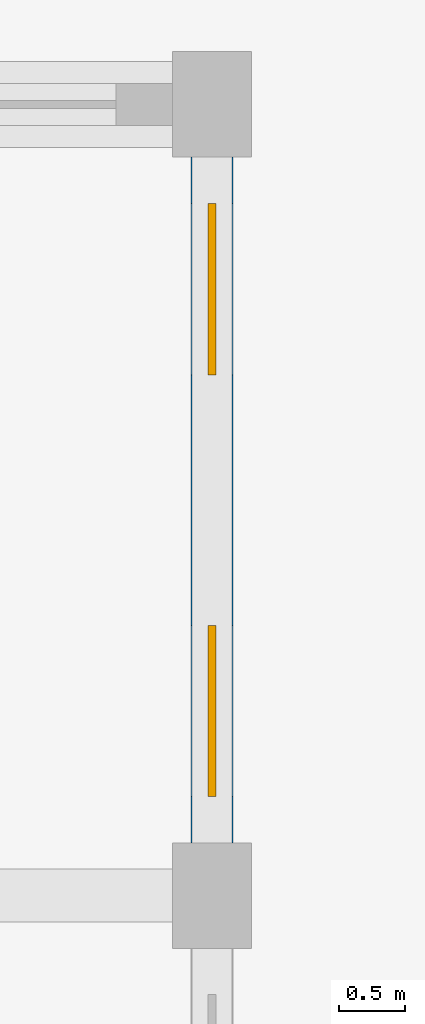
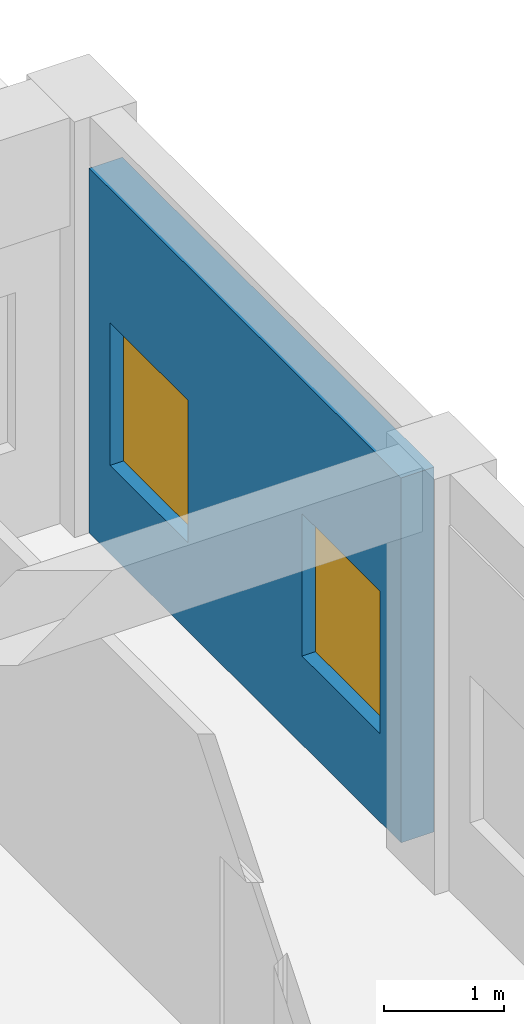
# One storey, part 64 of 76: 2 windows, 1 wall, 2 openings.
"""IFC4 building model written with IfcOpenShell, lengths in metres."""

import ifcopenshell
import ifcopenshell.guid

model = None  # the IFC model being written
_history = None  # IfcOwnerHistory: only IFC2X3 demands one
_inside = {}  # id of a spatial element -> (the spatial element, [elements in it])
_under = {}  # id of a project, library or spatial element -> (it, [spatial elements below it])
_declared = {}  # id of a project -> (the project, [libraries it declares])
_typed = {}  # id of a type object -> (the type object, [elements of that type])
_made_of = {}  # id of a material, layer set ... -> (it, [elements and type objects made of it])


def new_model(schema):
    """Start an empty IFC model of exactly this schema.

    Asked for "IFC4X3", IfcOpenShell would pick the latest addendum, in which some entities
    have other attributes; the version numbers below select the first issue.
    IFC2X3 requires an IfcOwnerHistory on every rooted entity: one is made here for all.
    """
    global model, _history
    if schema == "IFC4X3":
        model = ifcopenshell.file(schema_version=(4, 3, 0, 0))
    else:
        model = ifcopenshell.file(schema=schema)
    _inside.clear()
    _under.clear()
    _declared.clear()
    _typed.clear()
    _made_of.clear()
    _history = None
    if model.schema == "IFC2X3":
        org = make("IfcOrganization", Name="unknown")
        user = make(
            "IfcPersonAndOrganization",
            ThePerson=make("IfcPerson", FamilyName="unknown"),
            TheOrganization=org,
        )
        app = make(
            "IfcApplication",
            ApplicationDeveloper=org,
            Version="unknown",
            ApplicationFullName="unknown",
            ApplicationIdentifier="unknown",
        )
        _history = make(
            "IfcOwnerHistory",
            OwningUser=user,
            OwningApplication=app,
            ChangeAction="ADDED",
            CreationDate=0,
        )
    return model


def make(cls, **values):
    """One entity of the class cls with the attributes given. An attribute that is None is left unset."""
    return model.create_entity(
        cls, **{name: value for name, value in values.items() if value is not None}
    )


def rooted(cls, **values):
    """An entity with a GlobalId (a new one), such as an element, a storey or a relation."""
    return make(cls, GlobalId=ifcopenshell.guid.new(), OwnerHistory=_history, **values)


def si_unit(unit_type, name, prefix=None):
    """IfcSIUnit, for example si_unit("LENGTHUNIT", "METRE", prefix="MILLI")."""
    return make("IfcSIUnit", UnitType=unit_type, Prefix=prefix, Name=name)


def assignment(units):
    """IfcUnitAssignment: the units of a project."""
    return None if units is None else make("IfcUnitAssignment", Units=units)


def point(xyz):
    """IfcCartesianPoint."""
    return None if xyz is None else make("IfcCartesianPoint", Coordinates=xyz)


def direction(xyz):
    """IfcDirection."""
    return None if xyz is None else make("IfcDirection", DirectionRatios=xyz)


def frame(location, z_axis=None, x_axis=None):
    """IfcAxis2Placement3D, a coordinate frame: its origin and axes. An axis left out is left unset."""
    return make(
        "IfcAxis2Placement3D",
        Location=point(location),
        Axis=direction(z_axis),
        RefDirection=direction(x_axis),
    )


def frame_2d(location, x_axis=None):
    """IfcAxis2Placement2D, a coordinate frame in the plane: its origin and x axis."""
    return make(
        "IfcAxis2Placement2D", Location=point(location), RefDirection=direction(x_axis)
    )


def origin():
    """The frame at (0, 0, 0) with its axes left unset."""
    return frame((0.0, 0.0, 0.0))


def place(relative_to, where):
    """IfcLocalPlacement: puts the frame where relative to a parent placement (None: the world)."""
    return make(
        "IfcLocalPlacement", PlacementRelTo=relative_to, RelativePlacement=where
    )


def context(
    kind, dimensions, precision=None, world=None, true_north=None, identifier=None
):
    """IfcGeometricRepresentationContext, for example the 3D "Model" context."""
    return make(
        "IfcGeometricRepresentationContext",
        ContextIdentifier=identifier,
        ContextType=kind,
        CoordinateSpaceDimension=dimensions,
        Precision=precision,
        WorldCoordinateSystem=world,
        TrueNorth=true_north,
    )


def subcontext(parent, identifier, kind, view, scale=None):
    """IfcGeometricRepresentationSubContext, for example "Body" below "Model"."""
    return make(
        "IfcGeometricRepresentationSubContext",
        ContextIdentifier=identifier,
        ContextType=kind,
        ParentContext=parent,
        TargetScale=scale,
        TargetView=view,
    )


def project(units=None, contexts=None):
    """IfcProject with its units and contexts."""
    return rooted(
        "IfcProject",
        Name="project",
        RepresentationContexts=contexts,
        UnitsInContext=assignment(units),
    )


def spatial(cls, under=None, at=None, **own):
    """A site, building, storey or space (cls), placed at a placement, below another one or the project."""
    s = rooted(cls, ObjectPlacement=at, **own)
    if under is not None:
        _under.setdefault(under.id(), (under, []))[1].append(s)
    return s


def profile(cls, at=None, kind="AREA", **sizes):
    """A parametric profile (cls). Its sizes go by their IFC names, for example OverallWidth=200.0."""
    return make(cls, ProfileType=kind, Position=at, **sizes)


def rectangle(**sizes):
    """IfcRectangleProfileDef."""
    return profile("IfcRectangleProfileDef", **sizes)


def extrude(swept, where, along, depth):
    """IfcExtrudedAreaSolid: the profile swept, set in the frame where, extruded along a direction by depth."""
    return make(
        "IfcExtrudedAreaSolid",
        SweptArea=swept,
        Position=where,
        ExtrudedDirection=direction(along),
        Depth=depth,
    )


def shape(context_of_items, identifier, shape_type, items):
    """IfcShapeRepresentation: the items that make up one representation, for example the "Body"."""
    return make(
        "IfcShapeRepresentation",
        ContextOfItems=context_of_items,
        RepresentationIdentifier=identifier,
        RepresentationType=shape_type,
        Items=items,
    )


def material(Name=None, Category=None):
    """IfcMaterial."""
    return make("IfcMaterial", Name=Name, Category=Category)


def layer(
    of_material, thickness, ventilated=None, Name=None, Category=None, Priority=None
):
    """IfcMaterialLayer: one layer of a wall or slab, of a material (None: an air gap)."""
    return make(
        "IfcMaterialLayer",
        Material=of_material,
        LayerThickness=thickness,
        IsVentilated=ventilated,
        Name=Name,
        Category=Category,
        Priority=Priority,
    )


def layer_set(layers, Name=None):
    """IfcMaterialLayerSet."""
    return make("IfcMaterialLayerSet", MaterialLayers=layers, LayerSetName=Name)


def made_of(thing, what):
    """Note that an element or type object is made of a material, layer set ...; save() writes the relation."""
    if what is not None:
        _made_of.setdefault(what.id(), (what, []))[1].append(thing)
    return thing


def type_object(cls, material=None, **own):
    """A type object (cls), such as IfcWallType, which elements share."""
    return made_of(rooted(cls, **own), material)


def element(
    cls,
    number,
    at=None,
    inside=None,
    cuts=None,
    type_object=None,
    material=None,
    context=None,
    identifier="Body",
    shape_type=None,
    held_by="IfcProductDefinitionShape",
    body=None,
    shapes=None,
    **own,
):
    """One element of the class cls, such as IfcWall. Its Tag is "e" and its number.

    at: its placement. inside: the storey or other place that contains it. cuts: it is an
    opening in that element (IfcRelVoidsElement). A single representation is given by context,
    identifier, shape_type and body (its items); several are given by shapes. held_by: the class
    of the entity that holds the representations. save() writes the other relations.
    """
    e = rooted(cls, Tag="e%d" % number, ObjectPlacement=at, **own)
    if body is not None:
        shapes = [shape(context, identifier, shape_type, body)]
    if shapes is not None:
        e.Representation = make(held_by, Representations=shapes)
    if inside is not None:
        _inside.setdefault(inside.id(), (inside, []))[1].append(e)
    if cuts is not None:
        rooted(
            "IfcRelVoidsElement", RelatingBuildingElement=cuts, RelatedOpeningElement=e
        )
    if type_object is not None:
        _typed.setdefault(type_object.id(), (type_object, []))[1].append(e)
    return made_of(e, material)


def fill(opening, filler):
    """IfcRelFillsElement: the door or window that sits in an opening."""
    return rooted(
        "IfcRelFillsElement",
        RelatingOpeningElement=opening,
        RelatedBuildingElement=filler,
    )


def aggregate(whole, parts):
    """IfcRelAggregates: a whole, such as a stair, and the parts it consists of."""
    return rooted("IfcRelAggregates", RelatingObject=whole, RelatedObjects=parts)


def save(model, path):
    """Write the relations noted so far, then the file.

    IfcRelAggregates (storeys below a building ...), IfcRelContainedInSpatialStructure (elements
    in a storey), IfcRelDefinesByType, IfcRelAssociatesMaterial and IfcRelDeclares: one each for
    every whole, place, type object, material and project.
    """
    for whole, parts in _under.values():
        aggregate(whole, parts)
    for where, things in _inside.values():
        rooted(
            "IfcRelContainedInSpatialStructure",
            RelatedElements=things,
            RelatingStructure=where,
        )
    for kind, things in _typed.values():
        rooted("IfcRelDefinesByType", RelatedObjects=things, RelatingType=kind)
    for what, things in _made_of.values():
        rooted("IfcRelAssociatesMaterial", RelatedObjects=things, RelatingMaterial=what)
    for by, libraries in _declared.values():
        rooted("IfcRelDeclares", RelatingContext=by, RelatedDefinitions=libraries)
    model.write(path)


model = new_model("IFC4")

# Units and contexts
model_context = context("Model", 3, precision=1e-05, world=origin(), true_north=direction((0.0, 1.0)))
body_context = subcontext(model_context, "Body", "Model", "MODEL_VIEW")
ifc_project = project(units=[si_unit("LENGTHUNIT", "METRE"), si_unit("AREAUNIT", "SQUARE_METRE"), si_unit("VOLUMEUNIT", "CUBIC_METRE"), si_unit("PLANEANGLEUNIT", "RADIAN"), si_unit("MASSUNIT", "GRAM", prefix="KILO"), si_unit("POWERUNIT", "WATT"), si_unit("THERMODYNAMICTEMPERATUREUNIT", "KELVIN")], contexts=[model_context])

# Site, building, storey
site_placement = place(None, origin())
site = spatial("IfcSite", under=ifc_project, at=site_placement, CompositionType="ELEMENT")
building_placement = place(site_placement, origin())
building = spatial("IfcBuilding", under=site, at=building_placement, Name="Ruvembo Vaulted Housing Court", CompositionType="ELEMENT")
storey_placement = place(building_placement, origin())
storey = spatial("IfcBuildingStorey", under=building, at=storey_placement, Name="L00", CompositionType="ELEMENT", Elevation=0.0)

# Wall, openings, windows
ifc_material_1 = material(Name="Rendered Masonry 320", Category="masonry")
ifc_layer = layer(ifc_material_1, 0.320068359375, Name="Rendered Masonry 320")
ifc_layer_set = layer_set([ifc_layer], Name="Rendered Masonry 320")
wall_type = type_object("IfcWallType", Name="WL-EXT-320", PredefinedType="STANDARD", material=ifc_layer_set)
wall_placement = place(storey_placement, frame((186.0, 102.39990234375, 0.0), z_axis=(0.0, 0.0, 1.0), x_axis=(0.0, 1.0, 0.0)))
wall = element("IfcWall", 1, at=wall_placement, inside=storey, type_object=wall_type, Name="Block D L00 Exterior Wall EAST #6", PredefinedType="STANDARD", context=body_context, shape_type="SweptSolid", body=[
    extrude(rectangle(XDim=5.2001953125, YDim=0.320068359375, at=frame_2d((2.60009765625, 0.0))), origin(), (0.0, 0.0, 1.0), 3.7119140625),
])
opening_1_placement = place(wall_placement, frame((0.35009765625, 0.0, 0.89990234375)))
opening_1 = element("IfcOpeningElement", 2, at=opening_1_placement, cuts=wall, Name="Opening W15", PredefinedType="OPENING", context=body_context, shape_type="SweptSolid", body=[
    extrude(rectangle(XDim=1.300048828125, YDim=1.449951171875, at=frame_2d((0.64990234375, 0.72509765625))), frame((0.0, 0.169921875, 0.0), z_axis=(0.0, -1.0, 0.0), x_axis=(1.0, 0.0, 0.0)), (0.0, 0.0, 1.0), 0.340087890625),
])
opening_2_placement = place(wall_placement, frame((3.550048828125, 0.0, 0.89990234375)))
opening_2 = element("IfcOpeningElement", 3, at=opening_2_placement, cuts=wall, Name="Opening W15", PredefinedType="OPENING", context=body_context, shape_type="SweptSolid", body=[
    extrude(rectangle(XDim=1.300048828125, YDim=1.449951171875, at=frame_2d((0.64990234375, 0.72509765625))), frame((0.0, 0.169921875, 0.0), z_axis=(0.0, -1.0, 0.0), x_axis=(1.0, 0.0, 0.0)), (0.0, 0.0, 1.0), 0.340087890625),
])
ifc_material_2 = material(Name="Double Solar-Control Glazing in Aluminium Frame", Category="aluminium")
window_type = type_object("IfcWindowType", Name="WIN-1300x1450", PartitioningType="SINGLE_PANEL", PredefinedType="WINDOW", material=ifc_material_2)
window_1_placement = place(opening_1_placement, origin())
window_1 = element("IfcWindow", 4, at=window_1_placement, inside=storey, type_object=window_type, Name="Block D L00 Window #1465", OverallHeight=1.449951171875, OverallWidth=1.300048828125, PartitioningType="SINGLE_PANEL", PredefinedType="WINDOW", context=body_context, shape_type="SweptSolid", body=[
    extrude(rectangle(XDim=1.300048828125, YDim=1.449951171875, at=frame_2d((0.64990234375, 0.72509765625))), frame((0.0, 0.030029296875, 0.0), z_axis=(0.0, -1.0, 0.0), x_axis=(1.0, 0.0, 0.0)), (0.0, 0.0, 1.0), 0.06005859375),
])
fill(opening_1, window_1)
window_2_placement = place(opening_2_placement, origin())
window_2 = element("IfcWindow", 5, at=window_2_placement, inside=storey, type_object=window_type, Name="Block D L00 Window #1466", OverallHeight=1.449951171875, OverallWidth=1.300048828125, PartitioningType="SINGLE_PANEL", PredefinedType="WINDOW", context=body_context, shape_type="SweptSolid", body=[
    extrude(rectangle(XDim=1.300048828125, YDim=1.449951171875, at=frame_2d((0.64990234375, 0.72509765625))), frame((0.0, 0.030029296875, 0.0), z_axis=(0.0, -1.0, 0.0), x_axis=(1.0, 0.0, 0.0)), (0.0, 0.0, 1.0), 0.06005859375),
])
fill(opening_2, window_2)

save(model, "model.ifc")
